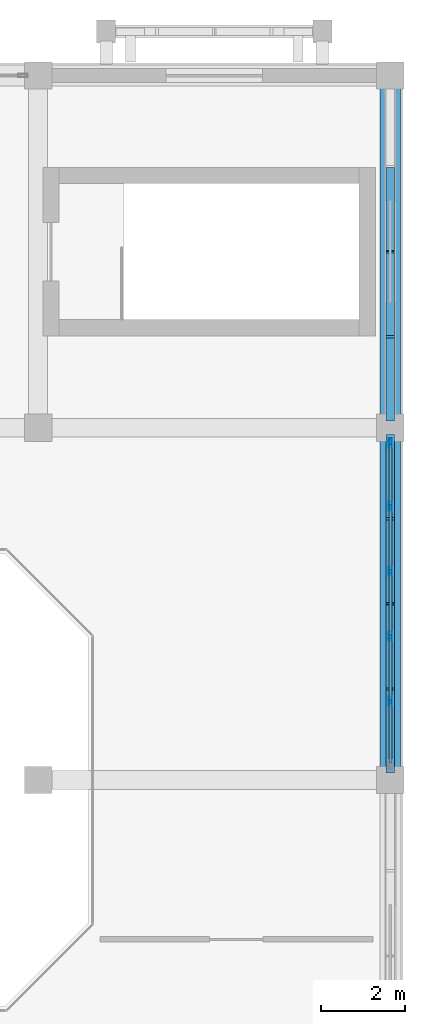
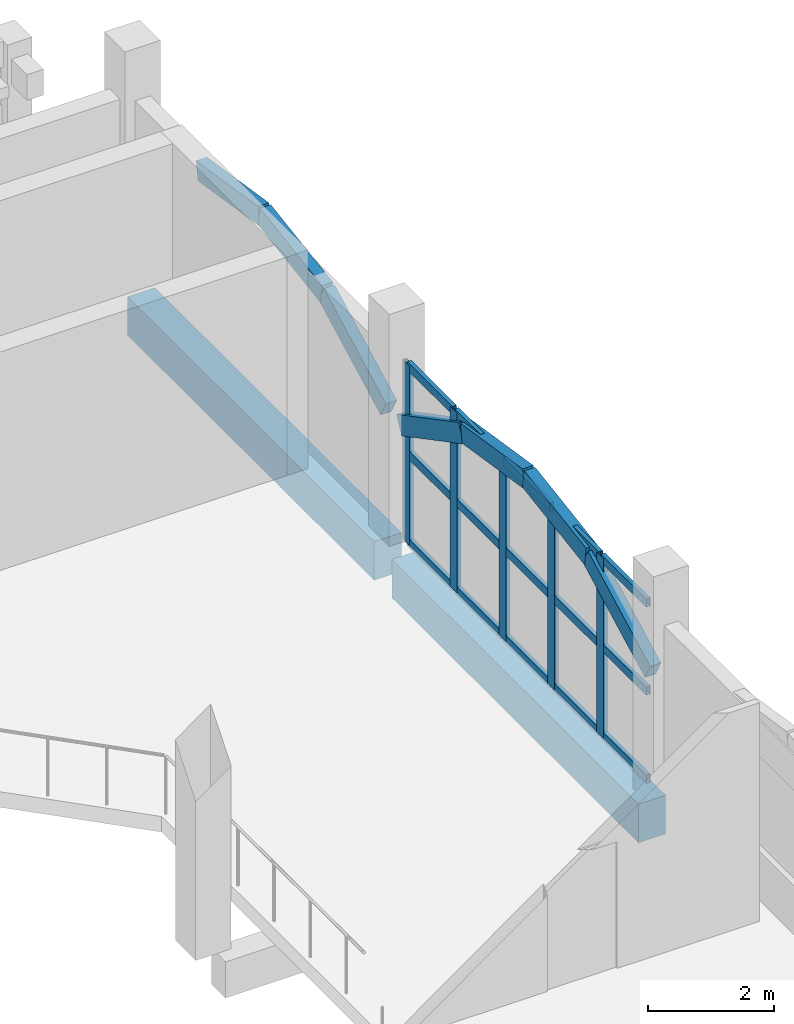
# One storey, part 10 of 16: 27 members, 2 beams, 1 element without a shape of its own.
"""IFC4 building model written with IfcOpenShell, lengths in metres."""

from ifc_helpers import new_model, si_unit, direction, frame, origin, origin_2d, place, context, subcontext, project, spatial, rectangle, hollow_rectangle, extrude, material, layer, layer_set, material_profile, profile_set, type_object, element, aggregate, save


model = new_model("IFC4")

# Units and contexts
model_context = context("Model", 3, precision=1e-05, world=origin(), true_north=direction((0.0, 1.0)))
body_context = subcontext(model_context, "Body", "Model", "MODEL_VIEW")
ifc_project = project(units=[si_unit("LENGTHUNIT", "METRE"), si_unit("AREAUNIT", "SQUARE_METRE"), si_unit("VOLUMEUNIT", "CUBIC_METRE"), si_unit("PLANEANGLEUNIT", "RADIAN"), si_unit("MASSUNIT", "GRAM", prefix="KILO")], contexts=[model_context])

# Site, building, storey
site_placement = place(None, origin())
site = spatial("IfcSite", under=ifc_project, at=site_placement, CompositionType="ELEMENT")
building_placement = place(site_placement, origin())
building = spatial("IfcBuilding", under=site, at=building_placement, Name="Xazarin Passage Department Store", CompositionType="ELEMENT")
storey_placement = place(building_placement, frame((0.0, 0.0, 32.39990234375)))
storey = spatial("IfcBuildingStorey", under=building, at=storey_placement, Name="L07", CompositionType="ELEMENT", Elevation=32.39990234375)

# Curtain wall, members
ifc_material_1 = material(Name="Bronze anodised aluminium", Category="aluminium")
ifc_layer = layer(ifc_material_1, 0.199951171875)
ifc_layer_set = layer_set([ifc_layer], Name="Bronze anodised aluminium")
curtain_wall_type = type_object("IfcCurtainWallType", Name="ARC-CW-VIT2", PredefinedType="NOTDEFINED", material=ifc_layer_set)
curtain_wall_placement = place(storey_placement, origin())
curtain_wall = element("IfcCurtainWall", 1, at=curtain_wall_placement, inside=storey, type_object=curtain_wall_type, Name="L07 V1 Curtain Wall 098", PredefinedType="NOTDEFINED")
ifc_material_profile_1 = material_profile(ifc_material_1, hollow_rectangle(XDim=0.074951171875, YDim=0.219970703125, WallThickness=0.0048828125, at=origin_2d()), Name="ALU 75x220")
ifc_profile_set_1 = profile_set([ifc_material_profile_1], Name="Bronze anodised aluminium")
member_type_1 = type_object("IfcMemberType", Name="ARC-CWM-75x220", PredefinedType="MULLION", material=ifc_profile_set_1)
member_1_placement = place(storey_placement, frame((33.60009765625, 95.074951171875, 0.0), z_axis=(0.0, 0.0, 1.0), x_axis=(-1.0, 0.0, 0.0)))
member_1 = element("IfcMember", 2, at=member_1_placement, type_object=member_type_1, Name="CW2 mullion 2", PredefinedType="MULLION", context=body_context, shape_type="SweptSolid", body=[
    extrude(hollow_rectangle(XDim=0.074951171875, YDim=0.219970703125, WallThickness=0.0048828125, at=origin_2d()), origin(), (0.0, 0.0, 1.0), 3.489990234375),
])
member_2_placement = place(storey_placement, frame((33.60009765625, 96.625, 0.0), z_axis=(0.0, 0.0, 1.0), x_axis=(-1.0, 0.0, 0.0)))
member_2 = element("IfcMember", 3, at=member_2_placement, type_object=member_type_1, Name="CW2 mullion 3", PredefinedType="MULLION", context=body_context, shape_type="SweptSolid", body=[
    extrude(hollow_rectangle(XDim=0.074951171875, YDim=0.219970703125, WallThickness=0.0048828125, at=origin_2d()), origin(), (0.0, 0.0, 1.0), 3.489990234375),
])
member_3_placement = place(storey_placement, frame((33.60009765625, 98.175048828125, 0.0), z_axis=(0.0, 0.0, 1.0), x_axis=(-1.0, 0.0, 0.0)))
member_3 = element("IfcMember", 4, at=member_3_placement, type_object=member_type_1, Name="CW2 mullion 4", PredefinedType="MULLION", context=body_context, shape_type="SweptSolid", body=[
    extrude(hollow_rectangle(XDim=0.074951171875, YDim=0.219970703125, WallThickness=0.0048828125, at=origin_2d()), origin(), (0.0, 0.0, 1.0), 3.489990234375),
])
member_4_placement = place(storey_placement, frame((33.60009765625, 99.72509765625, 0.0), z_axis=(0.0, 0.0, 1.0), x_axis=(-1.0, 0.0, 0.0)))
member_4 = element("IfcMember", 5, at=member_4_placement, type_object=member_type_1, Name="CW2 mullion 5", PredefinedType="MULLION", context=body_context, shape_type="SweptSolid", body=[
    extrude(hollow_rectangle(XDim=0.074951171875, YDim=0.219970703125, WallThickness=0.0048828125, at=origin_2d()), origin(), (0.0, 0.0, 1.0), 3.489990234375),
])
member_5_placement = place(storey_placement, frame((33.60009765625, 101.237548828125, 0.0), z_axis=(0.0, 0.0, 1.0), x_axis=(-1.0, 0.0, 0.0)))
member_5 = element("IfcMember", 6, at=member_5_placement, type_object=member_type_1, Name="CW2 mullion 6", PredefinedType="MULLION", context=body_context, shape_type="SweptSolid", body=[
    extrude(hollow_rectangle(XDim=0.074951171875, YDim=0.219970703125, WallThickness=0.0048828125, at=origin_2d()), origin(), (0.0, 0.0, 1.0), 3.489990234375),
])
ifc_material_profile_2 = material_profile(ifc_material_1, hollow_rectangle(XDim=0.074951171875, YDim=0.159912109375, WallThickness=0.00439453125, at=origin_2d()), Name="ALU 75x160")
ifc_profile_set_2 = profile_set([ifc_material_profile_2], Name="Bronze anodised aluminium")
member_type_2 = type_object("IfcMemberType", Name="ARC-CWT-75x160", PredefinedType="USERDEFINED", material=ifc_profile_set_2)
member_6_placement = place(storey_placement, frame((33.60009765625, 93.60009765625, 0.03759765625), z_axis=(0.0, 1.0, 0.0), x_axis=(-1.0, 0.0, 0.0)))
member_6 = element("IfcMember", 7, at=member_6_placement, type_object=member_type_2, Name="CW2 transom 1.1", ObjectType="TRANSOM", PredefinedType="USERDEFINED", context=body_context, shape_type="SweptSolid", body=[
    extrude(hollow_rectangle(XDim=0.074951171875, YDim=0.159912109375, WallThickness=0.00439453125, at=origin_2d()), origin(), (0.0, 0.0, 1.0), 1.4375),
])
member_7_placement = place(storey_placement, frame((33.60009765625, 93.60009765625, 1.7451171875), z_axis=(0.0, 1.0, 0.0), x_axis=(-1.0, 0.0, 0.0)))
member_7 = element("IfcMember", 8, at=member_7_placement, type_object=member_type_2, Name="CW2 transom 1.2", ObjectType="TRANSOM", PredefinedType="USERDEFINED", context=body_context, shape_type="SweptSolid", body=[
    extrude(hollow_rectangle(XDim=0.074951171875, YDim=0.159912109375, WallThickness=0.00439453125, at=origin_2d()), origin(), (0.0, 0.0, 1.0), 1.4375),
])
member_8_placement = place(storey_placement, frame((33.60009765625, 93.60009765625, 3.45263671875), z_axis=(0.0, 1.0, 0.0), x_axis=(-1.0, 0.0, 0.0)))
member_8 = element("IfcMember", 9, at=member_8_placement, type_object=member_type_2, Name="CW2 transom 1.3", ObjectType="TRANSOM", PredefinedType="USERDEFINED", context=body_context, shape_type="SweptSolid", body=[
    extrude(hollow_rectangle(XDim=0.074951171875, YDim=0.159912109375, WallThickness=0.00439453125, at=origin_2d()), origin(), (0.0, 0.0, 1.0), 1.4375),
])
member_9_placement = place(storey_placement, frame((33.60009765625, 95.112548828125, 0.03759765625), z_axis=(0.0, 1.0, 0.0), x_axis=(-1.0, 0.0, 0.0)))
member_9 = element("IfcMember", 10, at=member_9_placement, type_object=member_type_2, Name="CW2 transom 2.1", ObjectType="TRANSOM", PredefinedType="USERDEFINED", context=body_context, shape_type="SweptSolid", body=[
    extrude(hollow_rectangle(XDim=0.074951171875, YDim=0.159912109375, WallThickness=0.00439453125, at=origin_2d()), origin(), (0.0, 0.0, 1.0), 1.474853515625),
])
member_10_placement = place(storey_placement, frame((33.60009765625, 95.112548828125, 1.7451171875), z_axis=(0.0, 1.0, 0.0), x_axis=(-1.0, 0.0, 0.0)))
member_10 = element("IfcMember", 11, at=member_10_placement, type_object=member_type_2, Name="CW2 transom 2.2", ObjectType="TRANSOM", PredefinedType="USERDEFINED", context=body_context, shape_type="SweptSolid", body=[
    extrude(hollow_rectangle(XDim=0.074951171875, YDim=0.159912109375, WallThickness=0.00439453125, at=origin_2d()), origin(), (0.0, 0.0, 1.0), 1.474853515625),
])
member_11_placement = place(storey_placement, frame((33.60009765625, 95.112548828125, 3.45263671875), z_axis=(0.0, 1.0, 0.0), x_axis=(-1.0, 0.0, 0.0)))
member_11 = element("IfcMember", 12, at=member_11_placement, type_object=member_type_2, Name="CW2 transom 2.3", ObjectType="TRANSOM", PredefinedType="USERDEFINED", context=body_context, shape_type="SweptSolid", body=[
    extrude(hollow_rectangle(XDim=0.074951171875, YDim=0.159912109375, WallThickness=0.00439453125, at=origin_2d()), origin(), (0.0, 0.0, 1.0), 1.474853515625),
])
member_12_placement = place(storey_placement, frame((33.60009765625, 96.66259765625, 0.03759765625), z_axis=(0.0, 1.0, 0.0), x_axis=(-1.0, 0.0, 0.0)))
member_12 = element("IfcMember", 13, at=member_12_placement, type_object=member_type_2, Name="CW2 transom 3.1", ObjectType="TRANSOM", PredefinedType="USERDEFINED", context=body_context, shape_type="SweptSolid", body=[
    extrude(hollow_rectangle(XDim=0.074951171875, YDim=0.159912109375, WallThickness=0.00439453125, at=origin_2d()), origin(), (0.0, 0.0, 1.0), 1.474853515625),
])
member_13_placement = place(storey_placement, frame((33.60009765625, 96.66259765625, 1.7451171875), z_axis=(0.0, 1.0, 0.0), x_axis=(-1.0, 0.0, 0.0)))
member_13 = element("IfcMember", 14, at=member_13_placement, type_object=member_type_2, Name="CW2 transom 3.2", ObjectType="TRANSOM", PredefinedType="USERDEFINED", context=body_context, shape_type="SweptSolid", body=[
    extrude(hollow_rectangle(XDim=0.074951171875, YDim=0.159912109375, WallThickness=0.00439453125, at=origin_2d()), origin(), (0.0, 0.0, 1.0), 1.474853515625),
])
member_14_placement = place(storey_placement, frame((33.60009765625, 96.66259765625, 3.45263671875), z_axis=(0.0, 1.0, 0.0), x_axis=(-1.0, 0.0, 0.0)))
member_14 = element("IfcMember", 15, at=member_14_placement, type_object=member_type_2, Name="CW2 transom 3.3", ObjectType="TRANSOM", PredefinedType="USERDEFINED", context=body_context, shape_type="SweptSolid", body=[
    extrude(hollow_rectangle(XDim=0.074951171875, YDim=0.159912109375, WallThickness=0.00439453125, at=origin_2d()), origin(), (0.0, 0.0, 1.0), 1.474853515625),
])
member_15_placement = place(storey_placement, frame((33.60009765625, 98.21240234375, 0.03759765625), z_axis=(0.0, 1.0, 0.0), x_axis=(-1.0, 0.0, 0.0)))
member_15 = element("IfcMember", 16, at=member_15_placement, type_object=member_type_2, Name="CW2 transom 4.1", ObjectType="TRANSOM", PredefinedType="USERDEFINED", context=body_context, shape_type="SweptSolid", body=[
    extrude(hollow_rectangle(XDim=0.074951171875, YDim=0.159912109375, WallThickness=0.00439453125, at=origin_2d()), origin(), (0.0, 0.0, 1.0), 1.47509765625),
])
member_16_placement = place(storey_placement, frame((33.60009765625, 98.21240234375, 1.7451171875), z_axis=(0.0, 1.0, 0.0), x_axis=(-1.0, 0.0, 0.0)))
member_16 = element("IfcMember", 17, at=member_16_placement, type_object=member_type_2, Name="CW2 transom 4.2", ObjectType="TRANSOM", PredefinedType="USERDEFINED", context=body_context, shape_type="SweptSolid", body=[
    extrude(hollow_rectangle(XDim=0.074951171875, YDim=0.159912109375, WallThickness=0.00439453125, at=origin_2d()), origin(), (0.0, 0.0, 1.0), 1.47509765625),
])
member_17_placement = place(storey_placement, frame((33.60009765625, 98.21240234375, 3.45263671875), z_axis=(0.0, 1.0, 0.0), x_axis=(-1.0, 0.0, 0.0)))
member_17 = element("IfcMember", 18, at=member_17_placement, type_object=member_type_2, Name="CW2 transom 4.3", ObjectType="TRANSOM", PredefinedType="USERDEFINED", context=body_context, shape_type="SweptSolid", body=[
    extrude(hollow_rectangle(XDim=0.074951171875, YDim=0.159912109375, WallThickness=0.00439453125, at=origin_2d()), origin(), (0.0, 0.0, 1.0), 1.47509765625),
])
member_18_placement = place(storey_placement, frame((33.60009765625, 99.762451171875, 0.03759765625), z_axis=(0.0, 1.0, 0.0), x_axis=(-1.0, 0.0, 0.0)))
member_18 = element("IfcMember", 19, at=member_18_placement, type_object=member_type_2, Name="CW2 transom 5.1", ObjectType="TRANSOM", PredefinedType="USERDEFINED", context=body_context, shape_type="SweptSolid", body=[
    extrude(hollow_rectangle(XDim=0.074951171875, YDim=0.159912109375, WallThickness=0.00439453125, at=origin_2d()), origin(), (0.0, 0.0, 1.0), 1.4375),
])
member_19_placement = place(storey_placement, frame((33.60009765625, 99.762451171875, 1.7451171875), z_axis=(0.0, 1.0, 0.0), x_axis=(-1.0, 0.0, 0.0)))
member_19 = element("IfcMember", 20, at=member_19_placement, type_object=member_type_2, Name="CW2 transom 5.2", ObjectType="TRANSOM", PredefinedType="USERDEFINED", context=body_context, shape_type="SweptSolid", body=[
    extrude(hollow_rectangle(XDim=0.074951171875, YDim=0.159912109375, WallThickness=0.00439453125, at=origin_2d()), origin(), (0.0, 0.0, 1.0), 1.4375),
])
member_20_placement = place(storey_placement, frame((33.60009765625, 99.762451171875, 3.45263671875), z_axis=(0.0, 1.0, 0.0), x_axis=(-1.0, 0.0, 0.0)))
member_20 = element("IfcMember", 21, at=member_20_placement, type_object=member_type_2, Name="CW2 transom 5.3", ObjectType="TRANSOM", PredefinedType="USERDEFINED", context=body_context, shape_type="SweptSolid", body=[
    extrude(hollow_rectangle(XDim=0.074951171875, YDim=0.159912109375, WallThickness=0.00439453125, at=origin_2d()), origin(), (0.0, 0.0, 1.0), 1.4375),
])
aggregate(curtain_wall, [member_1, member_2, member_3, member_4, member_5, member_6, member_7, member_8, member_9, member_10, member_11, member_12, member_13, member_14, member_15, member_16, member_17, member_18, member_19, member_20])

# Beams
ifc_material_2 = material(Name="Concrete C35/45", Category="concrete")
ifc_material_profile_3 = material_profile(ifc_material_2, rectangle(XDim=0.5, YDim=0.75, at=origin_2d()), Name="RC 500x750")
ifc_profile_set_3 = profile_set([ifc_material_profile_3], Name="Concrete C35/45")
beam_type = type_object("IfcBeamType", Name="STR-BM-SP500x750", PredefinedType="SPANDREL", material=ifc_profile_set_3)
for number, where, z_axis, x_axis, name in (
    (22, (33.60009765625, 93.47998046875, -0.6748046875), (0.0, 1.0, 0.0), (-1.0, 0.0, 0.0), "L07 Grid Beam 5/N-P"),
    (23, (33.60009765625, 101.8798828125, -0.6748046875), (0.0, 1.0, 0.0), (-1.0, 0.0, 0.0), "L07 Grid Beam 5/P-Q"),
):
    element("IfcBeam", number, at=place(storey_placement, frame(where, z_axis=z_axis, x_axis=x_axis)), inside=storey, type_object=beam_type, Name=name, PredefinedType="SPANDREL", context=body_context, shape_type="SweptSolid", body=[
        extrude(rectangle(XDim=0.5, YDim=0.75, at=origin_2d()), origin(), (0.0, 0.0, 1.0), 7.840087890625),
    ])

# Members
ifc_material_3 = material(Name="Concrete C40/50", Category="concrete")
ifc_material_profile_4 = material_profile(ifc_material_3, rectangle(XDim=0.199951171875, YDim=0.360107421875, at=origin_2d()), Name="RC 200x360")
ifc_profile_set_4 = profile_set([ifc_material_profile_4], Name="Concrete C40/50")
member_type_3 = type_object("IfcMemberType", Name="STR-MEM-ARC360", PredefinedType="CHORD", material=ifc_profile_set_4)
member_21_placement = place(storey_placement, frame((33.60009765625, 93.449951171875, 2.22998046875), z_axis=(0.0, 0.88473311603, 0.466097965454), x_axis=(-1.0, 0.0, 0.0)))
element("IfcMember", 24, at=member_21_placement, inside=storey, type_object=member_type_3, Name="L07 V1 Upper Setback Pierced Arch 047.1", PredefinedType="CHORD", context=body_context, shape_type="SweptSolid", body=[
    extrude(rectangle(XDim=0.199951171875, YDim=0.360107421875, at=origin_2d()), origin(), (0.0, 0.0, 1.0), 2.232421875),
])
member_22_placement = place(storey_placement, frame((33.60009765625, 95.425048828125, 3.2705078125), z_axis=(0.0, 0.987935652704, 0.154864928623), x_axis=(-1.0, 0.0, 0.0)))
element("IfcMember", 25, at=member_22_placement, inside=storey, type_object=member_type_3, Name="L07 V1 Upper Setback Pierced Arch 047.2", PredefinedType="CHORD", context=body_context, shape_type="SweptSolid", body=[
    extrude(rectangle(XDim=0.199951171875, YDim=0.360107421875, at=origin_2d()), origin(), (0.0, 0.0, 1.0), 1.9990234375),
])
member_23_placement = place(storey_placement, frame((33.60009765625, 97.39990234375, 3.580078125), z_axis=(0.0, 0.987938581312, -0.154846244883), x_axis=(-1.0, 0.0, 0.0)))
element("IfcMember", 26, at=member_23_placement, inside=storey, type_object=member_type_3, Name="L07 V1 Upper Setback Pierced Arch 047.3", PredefinedType="CHORD", context=body_context, shape_type="SweptSolid", body=[
    extrude(rectangle(XDim=0.199951171875, YDim=0.360107421875, at=origin_2d()), origin(), (0.0, 0.0, 1.0), 1.999267578125),
])
member_24_placement = place(storey_placement, frame((33.60009765625, 99.375, 3.2705078125), z_axis=(0.0, 0.88473311603, -0.466097965454), x_axis=(-1.0, 0.0, 0.0)))
element("IfcMember", 27, at=member_24_placement, inside=storey, type_object=member_type_3, Name="L07 V1 Upper Setback Pierced Arch 047.4", PredefinedType="CHORD", context=body_context, shape_type="SweptSolid", body=[
    extrude(rectangle(XDim=0.199951171875, YDim=0.360107421875, at=origin_2d()), origin(), (0.0, 0.0, 1.0), 2.232421875),
])
member_25_placement = place(storey_placement, frame((33.60009765625, 101.85009765625, 2.22998046875), z_axis=(0.0, 0.884709354127, 0.466143066793), x_axis=(-1.0, 0.0, 0.0)))
element("IfcMember", 28, at=member_25_placement, inside=storey, type_object=member_type_3, Name="L07 V1 Upper Setback Pierced Arch 048.1", PredefinedType="CHORD", context=body_context, shape_type="SweptSolid", body=[
    extrude(rectangle(XDim=0.199951171875, YDim=0.360107421875, at=origin_2d()), origin(), (0.0, 0.0, 1.0), 2.232177734375),
])
member_26_placement = place(storey_placement, frame((33.60009765625, 103.824951171875, 3.2705078125), z_axis=(0.0, 0.987938581312, 0.154846244883), x_axis=(-1.0, 0.0, 0.0)))
element("IfcMember", 29, at=member_26_placement, inside=storey, type_object=member_type_3, Name="L07 V1 Upper Setback Pierced Arch 048.2", PredefinedType="CHORD", context=body_context, shape_type="SweptSolid", body=[
    extrude(rectangle(XDim=0.199951171875, YDim=0.360107421875, at=origin_2d()), origin(), (0.0, 0.0, 1.0), 1.999267578125),
])
member_27_placement = place(storey_placement, frame((33.60009765625, 105.800048828125, 3.580078125), z_axis=(0.0, 0.987935652704, -0.154864928623), x_axis=(-1.0, 0.0, 0.0)))
element("IfcMember", 30, at=member_27_placement, inside=storey, type_object=member_type_3, Name="L07 V1 Upper Setback Pierced Arch 048.3", PredefinedType="CHORD", context=body_context, shape_type="SweptSolid", body=[
    extrude(rectangle(XDim=0.199951171875, YDim=0.360107421875, at=origin_2d()), origin(), (0.0, 0.0, 1.0), 1.9990234375),
])

save(model, "model.ifc")
